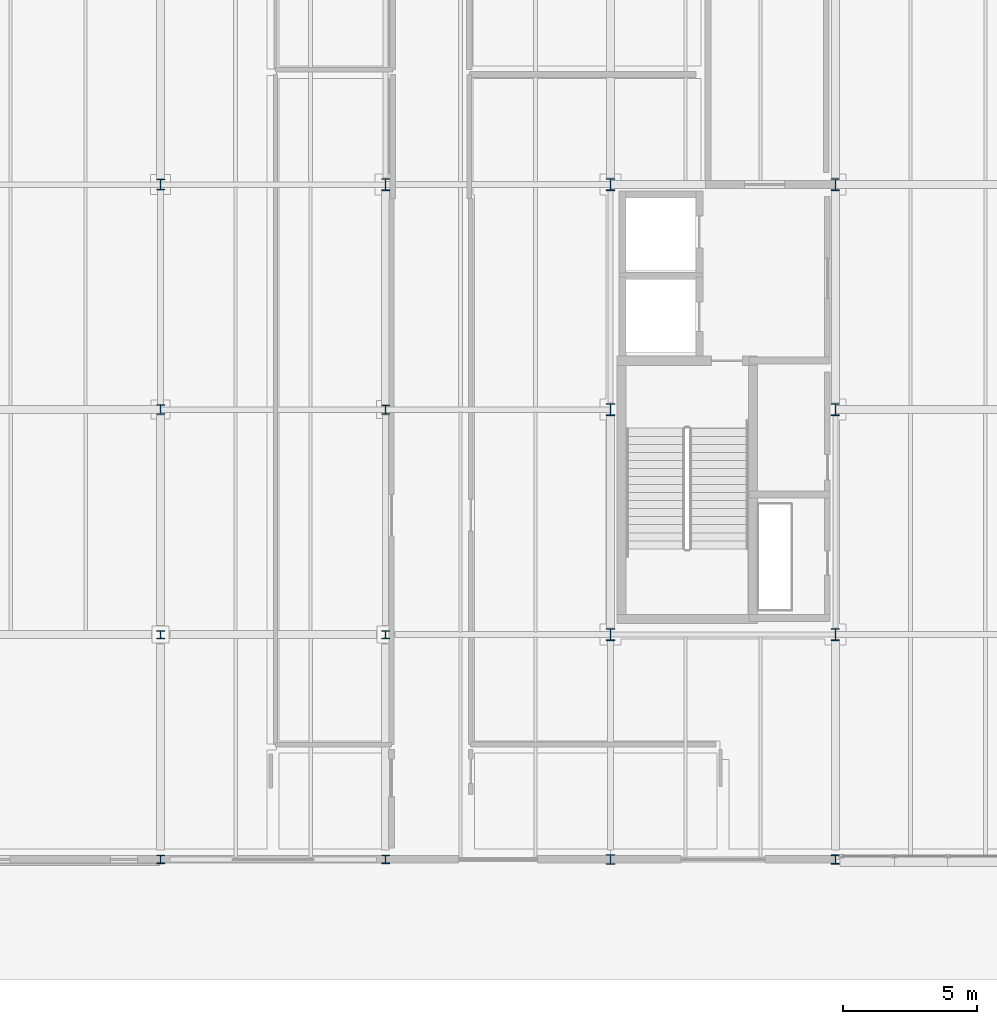
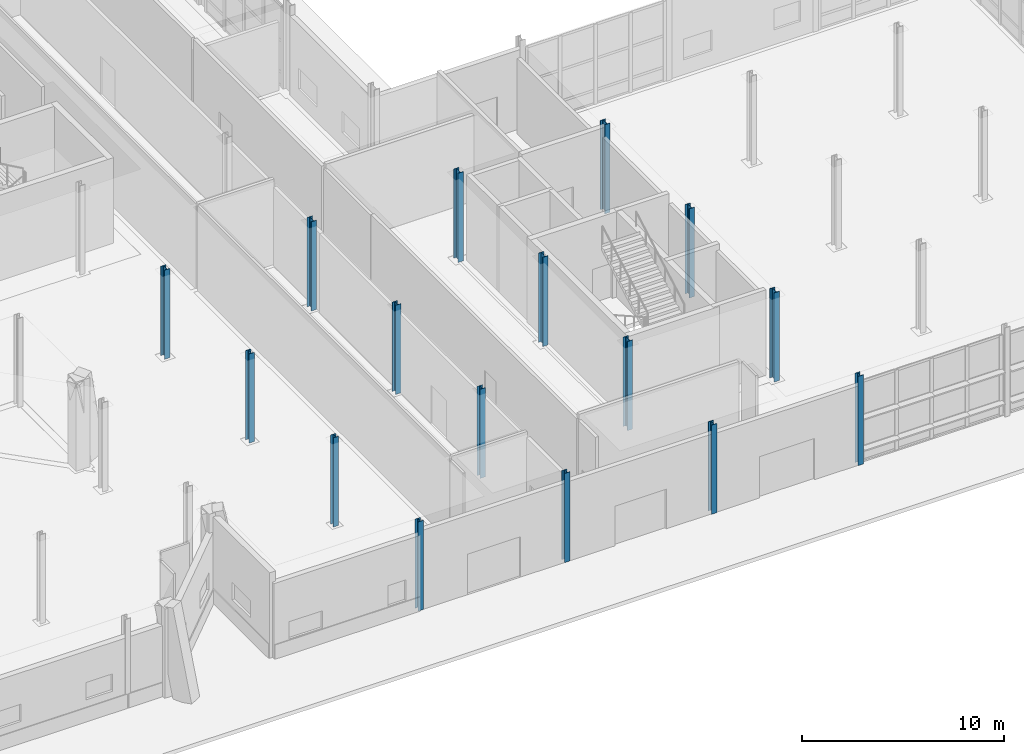
# One storey, part 5 of 124: 16 columns.
"""IFC4 building model written with IfcOpenShell, lengths in metres."""

from ifc_helpers import new_model, si_unit, direction, frame, origin, origin_2d, place, context, subcontext, project, spatial, i_section, extrude, material, material_profile, profile_set, type_object, element, save


model = new_model("IFC4")

# Units and contexts
model_context = context("Model", 3, precision=1e-05, world=origin(), true_north=direction((0.0, 1.0)))
body_context = subcontext(model_context, "Body", "Model", "MODEL_VIEW")
ifc_project = project(units=[si_unit("LENGTHUNIT", "METRE"), si_unit("AREAUNIT", "SQUARE_METRE"), si_unit("VOLUMEUNIT", "CUBIC_METRE"), si_unit("PLANEANGLEUNIT", "RADIAN"), si_unit("MASSUNIT", "GRAM", prefix="KILO")], contexts=[model_context])

# Site, building, storey
site_placement = place(None, origin())
site = spatial("IfcSite", under=ifc_project, at=site_placement, CompositionType="ELEMENT")
building_placement = place(site_placement, origin())
building = spatial("IfcBuilding", under=site, at=building_placement, Name="Mersafa Astral City Hall", CompositionType="ELEMENT")
storey_placement = place(building_placement, origin())
storey = spatial("IfcBuildingStorey", under=building, at=storey_placement, Name="L00", CompositionType="ELEMENT", Elevation=0.0)

# Columns
ifc_material = material(Name="Steel S355", Category="steel")
ifc_material_profile_1 = material_profile(ifc_material, i_section(OverallWidth=0.300048828125, OverallDepth=0.300048828125, WebThickness=0.010986328125, FlangeThickness=0.01904296875, FilletRadius=0.027099609375, at=origin_2d()), Name="HEB 300")
ifc_profile_set_1 = profile_set([ifc_material_profile_1], Name="Steel S355")
column_type_1 = type_object("IfcColumnType", Name="STR-COL-HEB300", PredefinedType="COLUMN", material=ifc_profile_set_1)
for number, where, z_axis, x_axis, name in (
    (1, (100.800048828125, 0.0, 0.0), (0.0, 0.0, 1.0), (1.0, 0.0, 0.0), "L00 Structural column G-12-00"),
    (2, (100.800048828125, 8.39990234375, 0.0), (0.0, 0.0, 1.0), (1.0, 0.0, 0.0), "L00 Structural column G-12-01"),
    (3, (109.199951171875, 0.0, 0.0), (0.0, 0.0, 1.0), (1.0, 0.0, 0.0), "L00 Structural column G-13-00"),
    (4, (109.199951171875, 8.39990234375, 0.0), (0.0, 0.0, 1.0), (1.0, 0.0, 0.0), "L00 Structural column G-13-01"),
):
    element("IfcColumn", number, at=place(storey_placement, frame(where, z_axis=z_axis, x_axis=x_axis)), inside=storey, type_object=column_type_1, Name=name, PredefinedType="COLUMN", context=body_context, shape_type="SweptSolid", body=[
        extrude(i_section(OverallWidth=0.300048828125, OverallDepth=0.300048828125, WebThickness=0.010986328125, FlangeThickness=0.01904296875, FilletRadius=0.027099609375, at=origin_2d()), origin(), (0.0, 0.0, 1.0), 5.39990234375),
    ])
ifc_material_profile_2 = material_profile(ifc_material, i_section(OverallWidth=0.300048828125, OverallDepth=0.340087890625, WebThickness=0.011962890625, FlangeThickness=0.021484375, FilletRadius=0.027099609375, at=origin_2d()), Name="HEB 340")
ifc_profile_set_2 = profile_set([ifc_material_profile_2], Name="Steel S355")
column_type_2 = type_object("IfcColumnType", Name="STR-COL-HEB340", PredefinedType="COLUMN", material=ifc_profile_set_2)
for number, where, z_axis, x_axis, name in (
    (5, (109.199951171875, 16.800048828125, 0.0), (0.0, 0.0, 1.0), (1.0, 0.0, 0.0), "L00 Structural column G-13-02"),
    (6, (126.0, 0.0, 0.0), (0.0, 0.0, 1.0), (1.0, 0.0, 0.0), "L00 Structural column G-15-00"),
):
    element("IfcColumn", number, at=place(storey_placement, frame(where, z_axis=z_axis, x_axis=x_axis)), inside=storey, type_object=column_type_2, Name=name, PredefinedType="COLUMN", context=body_context, shape_type="SweptSolid", body=[
        extrude(i_section(OverallWidth=0.300048828125, OverallDepth=0.340087890625, WebThickness=0.011962890625, FlangeThickness=0.021484375, FilletRadius=0.027099609375, at=origin_2d()), origin(), (0.0, 0.0, 1.0), 5.39990234375),
    ])
ifc_material_profile_3 = material_profile(ifc_material, i_section(OverallWidth=0.300048828125, OverallDepth=0.360107421875, WebThickness=0.012451171875, FlangeThickness=0.0224609375, FilletRadius=0.027099609375, at=origin_2d()), Name="HEB 360")
ifc_profile_set_3 = profile_set([ifc_material_profile_3], Name="Steel S355")
column_type_3 = type_object("IfcColumnType", Name="STR-COL-HEB360", PredefinedType="COLUMN", material=ifc_profile_set_3)
for number, where, z_axis, x_axis, name in (
    (7, (100.800048828125, 16.800048828125, 0.0), (0.0, 0.0, 1.0), (1.0, 0.0, 0.0), "L00 Structural column G-12-02"),
    (8, (117.60009765625, 0.0, 0.0), (0.0, 0.0, 1.0), (1.0, 0.0, 0.0), "L00 Structural column G-14-00"),
):
    element("IfcColumn", number, at=place(storey_placement, frame(where, z_axis=z_axis, x_axis=x_axis)), inside=storey, type_object=column_type_3, Name=name, PredefinedType="COLUMN", context=body_context, shape_type="SweptSolid", body=[
        extrude(i_section(OverallWidth=0.300048828125, OverallDepth=0.360107421875, WebThickness=0.012451171875, FlangeThickness=0.0224609375, FilletRadius=0.027099609375, at=origin_2d()), origin(), (0.0, 0.0, 1.0), 5.39990234375),
    ])
ifc_material_profile_4 = material_profile(ifc_material, i_section(OverallWidth=0.300048828125, OverallDepth=0.39990234375, WebThickness=0.013427734375, FlangeThickness=0.02392578125, FilletRadius=0.027099609375, at=origin_2d()), Name="HEB 400")
ifc_profile_set_4 = profile_set([ifc_material_profile_4], Name="Steel S355")
column_type_4 = type_object("IfcColumnType", Name="STR-COL-HEB400", PredefinedType="COLUMN", material=ifc_profile_set_4)
column_placement = place(storey_placement, frame((100.800048828125, 25.199951171875, 0.0), z_axis=(0.0, 0.0, 1.0), x_axis=(1.0, 0.0, 0.0)))
element("IfcColumn", 9, at=column_placement, inside=storey, type_object=column_type_4, Name="L00 Structural column G-12-03", PredefinedType="COLUMN", context=body_context, shape_type="SweptSolid", body=[
    extrude(i_section(OverallWidth=0.300048828125, OverallDepth=0.39990234375, WebThickness=0.013427734375, FlangeThickness=0.02392578125, FilletRadius=0.027099609375, at=origin_2d()), origin(), (0.0, 0.0, 1.0), 5.39990234375),
])
ifc_material_profile_5 = material_profile(ifc_material, i_section(OverallWidth=0.300048828125, OverallDepth=0.449951171875, WebThickness=0.013916015625, FlangeThickness=0.02587890625, FilletRadius=0.027099609375, at=origin_2d()), Name="HEB 450")
ifc_profile_set_5 = profile_set([ifc_material_profile_5], Name="Steel S355")
column_type_5 = type_object("IfcColumnType", Name="STR-COL-HEB450", PredefinedType="COLUMN", material=ifc_profile_set_5)
for number, where, z_axis, x_axis, name in (
    (10, (109.199951171875, 25.199951171875, 0.0), (0.0, 0.0, 1.0), (1.0, 0.0, 0.0), "L00 Structural column G-13-03"),
    (11, (117.60009765625, 8.39990234375, 0.0), (0.0, 0.0, 1.0), (1.0, 0.0, 0.0), "L00 Structural column G-14-01"),
    (12, (117.60009765625, 16.800048828125, 0.0), (0.0, 0.0, 1.0), (1.0, 0.0, 0.0), "L00 Structural column G-14-02"),
    (13, (117.60009765625, 25.199951171875, 0.0), (0.0, 0.0, 1.0), (1.0, 0.0, 0.0), "L00 Structural column G-14-03"),
    (14, (126.0, 8.39990234375, 0.0), (0.0, 0.0, 1.0), (1.0, 0.0, 0.0), "L00 Structural column G-15-01"),
    (15, (126.0, 16.800048828125, 0.0), (0.0, 0.0, 1.0), (1.0, 0.0, 0.0), "L00 Structural column G-15-02"),
    (16, (126.0, 25.199951171875, 0.0), (0.0, 0.0, 1.0), (1.0, 0.0, 0.0), "L00 Structural column G-15-03"),
):
    element("IfcColumn", number, at=place(storey_placement, frame(where, z_axis=z_axis, x_axis=x_axis)), inside=storey, type_object=column_type_5, Name=name, PredefinedType="COLUMN", context=body_context, shape_type="SweptSolid", body=[
        extrude(i_section(OverallWidth=0.300048828125, OverallDepth=0.449951171875, WebThickness=0.013916015625, FlangeThickness=0.02587890625, FilletRadius=0.027099609375, at=origin_2d()), origin(), (0.0, 0.0, 1.0), 5.39990234375),
    ])

save(model, "model.ifc")
